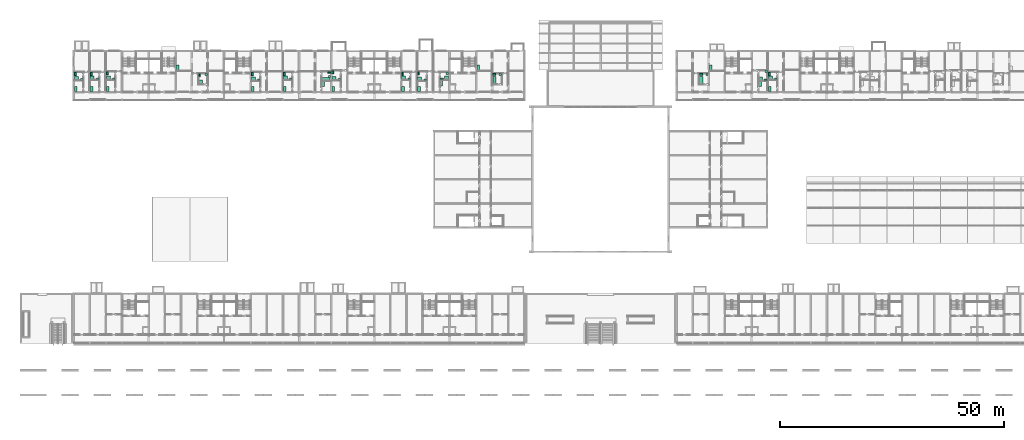
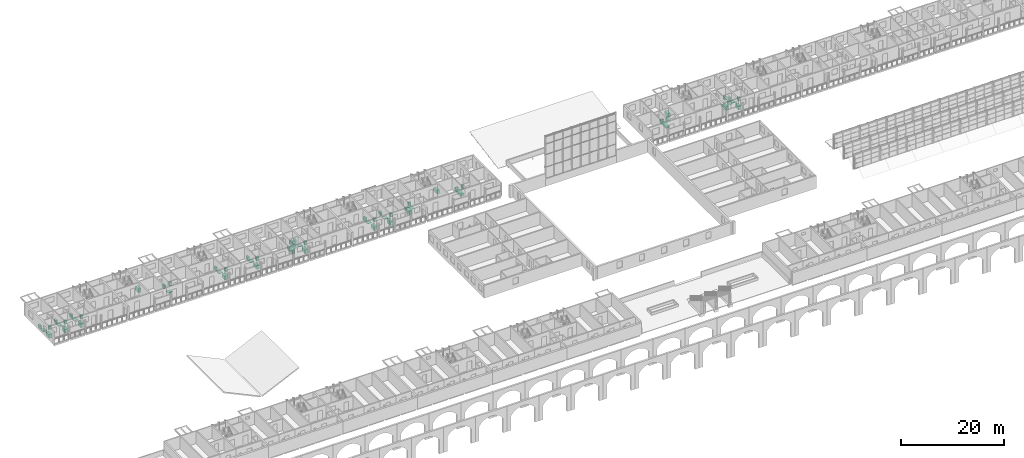
# One storey, part 121 of 122: 60 sanitary terminals.
"""IFC4 building model written with IfcOpenShell, lengths in metres."""

import ifcopenshell
import ifcopenshell.guid

model = None  # the IFC model being written
_history = None  # IfcOwnerHistory: only IFC2X3 demands one
_inside = {}  # id of a spatial element -> (the spatial element, [elements in it])
_under = {}  # id of a project, library or spatial element -> (it, [spatial elements below it])
_declared = {}  # id of a project -> (the project, [libraries it declares])
_typed = {}  # id of a type object -> (the type object, [elements of that type])
_made_of = {}  # id of a material, layer set ... -> (it, [elements and type objects made of it])


def new_model(schema):
    """Start an empty IFC model of exactly this schema.

    Asked for "IFC4X3", IfcOpenShell would pick the latest addendum, in which some entities
    have other attributes; the version numbers below select the first issue.
    IFC2X3 requires an IfcOwnerHistory on every rooted entity: one is made here for all.
    """
    global model, _history
    if schema == "IFC4X3":
        model = ifcopenshell.file(schema_version=(4, 3, 0, 0))
    else:
        model = ifcopenshell.file(schema=schema)
    _inside.clear()
    _under.clear()
    _declared.clear()
    _typed.clear()
    _made_of.clear()
    _history = None
    if model.schema == "IFC2X3":
        org = make("IfcOrganization", Name="unknown")
        user = make(
            "IfcPersonAndOrganization",
            ThePerson=make("IfcPerson", FamilyName="unknown"),
            TheOrganization=org,
        )
        app = make(
            "IfcApplication",
            ApplicationDeveloper=org,
            Version="unknown",
            ApplicationFullName="unknown",
            ApplicationIdentifier="unknown",
        )
        _history = make(
            "IfcOwnerHistory",
            OwningUser=user,
            OwningApplication=app,
            ChangeAction="ADDED",
            CreationDate=0,
        )
    return model


def make(cls, **values):
    """One entity of the class cls with the attributes given. An attribute that is None is left unset."""
    return model.create_entity(
        cls, **{name: value for name, value in values.items() if value is not None}
    )


def rooted(cls, **values):
    """An entity with a GlobalId (a new one), such as an element, a storey or a relation."""
    return make(cls, GlobalId=ifcopenshell.guid.new(), OwnerHistory=_history, **values)


def si_unit(unit_type, name, prefix=None):
    """IfcSIUnit, for example si_unit("LENGTHUNIT", "METRE", prefix="MILLI")."""
    return make("IfcSIUnit", UnitType=unit_type, Prefix=prefix, Name=name)


def assignment(units):
    """IfcUnitAssignment: the units of a project."""
    return None if units is None else make("IfcUnitAssignment", Units=units)


def point(xyz):
    """IfcCartesianPoint."""
    return None if xyz is None else make("IfcCartesianPoint", Coordinates=xyz)


def direction(xyz):
    """IfcDirection."""
    return None if xyz is None else make("IfcDirection", DirectionRatios=xyz)


def frame(location, z_axis=None, x_axis=None):
    """IfcAxis2Placement3D, a coordinate frame: its origin and axes. An axis left out is left unset."""
    return make(
        "IfcAxis2Placement3D",
        Location=point(location),
        Axis=direction(z_axis),
        RefDirection=direction(x_axis),
    )


def frame_2d(location, x_axis=None):
    """IfcAxis2Placement2D, a coordinate frame in the plane: its origin and x axis."""
    return make(
        "IfcAxis2Placement2D", Location=point(location), RefDirection=direction(x_axis)
    )


def origin():
    """The frame at (0, 0, 0) with its axes left unset."""
    return frame((0.0, 0.0, 0.0))


def origin_2d():
    """The frame at (0, 0) in the plane with its x axis left unset."""
    return frame_2d((0.0, 0.0))


def place(relative_to, where):
    """IfcLocalPlacement: puts the frame where relative to a parent placement (None: the world)."""
    return make(
        "IfcLocalPlacement", PlacementRelTo=relative_to, RelativePlacement=where
    )


def context(
    kind, dimensions, precision=None, world=None, true_north=None, identifier=None
):
    """IfcGeometricRepresentationContext, for example the 3D "Model" context."""
    return make(
        "IfcGeometricRepresentationContext",
        ContextIdentifier=identifier,
        ContextType=kind,
        CoordinateSpaceDimension=dimensions,
        Precision=precision,
        WorldCoordinateSystem=world,
        TrueNorth=true_north,
    )


def subcontext(parent, identifier, kind, view, scale=None):
    """IfcGeometricRepresentationSubContext, for example "Body" below "Model"."""
    return make(
        "IfcGeometricRepresentationSubContext",
        ContextIdentifier=identifier,
        ContextType=kind,
        ParentContext=parent,
        TargetScale=scale,
        TargetView=view,
    )


def project(units=None, contexts=None):
    """IfcProject with its units and contexts."""
    return rooted(
        "IfcProject",
        Name="project",
        RepresentationContexts=contexts,
        UnitsInContext=assignment(units),
    )


def spatial(cls, under=None, at=None, **own):
    """A site, building, storey or space (cls), placed at a placement, below another one or the project."""
    s = rooted(cls, ObjectPlacement=at, **own)
    if under is not None:
        _under.setdefault(under.id(), (under, []))[1].append(s)
    return s


def profile(cls, at=None, kind="AREA", **sizes):
    """A parametric profile (cls). Its sizes go by their IFC names, for example OverallWidth=200.0."""
    return make(cls, ProfileType=kind, Position=at, **sizes)


def rectangle(**sizes):
    """IfcRectangleProfileDef."""
    return profile("IfcRectangleProfileDef", **sizes)


def extrude(swept, where, along, depth):
    """IfcExtrudedAreaSolid: the profile swept, set in the frame where, extruded along a direction by depth."""
    return make(
        "IfcExtrudedAreaSolid",
        SweptArea=swept,
        Position=where,
        ExtrudedDirection=direction(along),
        Depth=depth,
    )


def shape(context_of_items, identifier, shape_type, items):
    """IfcShapeRepresentation: the items that make up one representation, for example the "Body"."""
    return make(
        "IfcShapeRepresentation",
        ContextOfItems=context_of_items,
        RepresentationIdentifier=identifier,
        RepresentationType=shape_type,
        Items=items,
    )


def made_of(thing, what):
    """Note that an element or type object is made of a material, layer set ...; save() writes the relation."""
    if what is not None:
        _made_of.setdefault(what.id(), (what, []))[1].append(thing)
    return thing


def element(
    cls,
    number,
    at=None,
    inside=None,
    cuts=None,
    type_object=None,
    material=None,
    context=None,
    identifier="Body",
    shape_type=None,
    held_by="IfcProductDefinitionShape",
    body=None,
    shapes=None,
    **own,
):
    """One element of the class cls, such as IfcWall. Its Tag is "e" and its number.

    at: its placement. inside: the storey or other place that contains it. cuts: it is an
    opening in that element (IfcRelVoidsElement). A single representation is given by context,
    identifier, shape_type and body (its items); several are given by shapes. held_by: the class
    of the entity that holds the representations. save() writes the other relations.
    """
    e = rooted(cls, Tag="e%d" % number, ObjectPlacement=at, **own)
    if body is not None:
        shapes = [shape(context, identifier, shape_type, body)]
    if shapes is not None:
        e.Representation = make(held_by, Representations=shapes)
    if inside is not None:
        _inside.setdefault(inside.id(), (inside, []))[1].append(e)
    if cuts is not None:
        rooted(
            "IfcRelVoidsElement", RelatingBuildingElement=cuts, RelatedOpeningElement=e
        )
    if type_object is not None:
        _typed.setdefault(type_object.id(), (type_object, []))[1].append(e)
    return made_of(e, material)


def aggregate(whole, parts):
    """IfcRelAggregates: a whole, such as a stair, and the parts it consists of."""
    return rooted("IfcRelAggregates", RelatingObject=whole, RelatedObjects=parts)


def save(model, path):
    """Write the relations noted so far, then the file.

    IfcRelAggregates (storeys below a building ...), IfcRelContainedInSpatialStructure (elements
    in a storey), IfcRelDefinesByType, IfcRelAssociatesMaterial and IfcRelDeclares: one each for
    every whole, place, type object, material and project.
    """
    for whole, parts in _under.values():
        aggregate(whole, parts)
    for where, things in _inside.values():
        rooted(
            "IfcRelContainedInSpatialStructure",
            RelatedElements=things,
            RelatingStructure=where,
        )
    for kind, things in _typed.values():
        rooted("IfcRelDefinesByType", RelatedObjects=things, RelatingType=kind)
    for what, things in _made_of.values():
        rooted("IfcRelAssociatesMaterial", RelatedObjects=things, RelatingMaterial=what)
    for by, libraries in _declared.values():
        rooted("IfcRelDeclares", RelatingContext=by, RelatedDefinitions=libraries)
    model.write(path)


model = new_model("IFC4")

# Units and contexts
model_context = context("Model", 3, precision=1e-05, world=origin(), true_north=direction((0.0, 1.0)))
body_context = subcontext(model_context, "Body", "Model", "MODEL_VIEW")
ifc_project = project(units=[si_unit("LENGTHUNIT", "METRE"), si_unit("AREAUNIT", "SQUARE_METRE"), si_unit("VOLUMEUNIT", "CUBIC_METRE"), si_unit("PLANEANGLEUNIT", "RADIAN"), si_unit("MASSUNIT", "GRAM", prefix="KILO")], contexts=[model_context])

# Site, building, storey
site_placement = place(None, origin())
site = spatial("IfcSite", under=ifc_project, at=site_placement, CompositionType="ELEMENT")
building_placement = place(site_placement, origin())
building = spatial("IfcBuilding", under=site, at=building_placement, Name="Ridgestep Commons", CompositionType="ELEMENT")
storey_placement = place(building_placement, frame((0.0, 0.0, 3.0)))
storey = spatial("IfcBuildingStorey", under=building, at=storey_placement, Name="L01", CompositionType="ELEMENT", Elevation=3.0)

# Sanitary terminals
sanitary_terminal_1_placement = place(storey_placement, frame((12.60009765625, 70.9599609375, 0.0), z_axis=(0.0, 0.0, 1.0), x_axis=(1.0, 0.0, 0.0)))
element("IfcSanitaryTerminal", 1, at=sanitary_terminal_1_placement, inside=storey, Name="Shower tray B1-01a", PredefinedType="SHOWER", context=body_context, shape_type="SweptSolid", body=[
    extrude(rectangle(XDim=0.89990234375, YDim=0.89990234375, at=origin_2d()), origin(), (0.0, 0.0, 1.0), 0.10009765625),
])
sanitary_terminal_2_placement = place(storey_placement, frame((12.35009765625, 71.949951171875, 0.0), z_axis=(0.0, 0.0, 1.0), x_axis=(1.0, 0.0, 0.0)))
element("IfcSanitaryTerminal", 2, at=sanitary_terminal_2_placement, inside=storey, Name="WC B1-01a", PredefinedType="TOILETPAN", context=body_context, shape_type="SweptSolid", body=[
    extrude(rectangle(XDim=0.39990234375, YDim=0.699951171875, at=origin_2d()), origin(), (0.0, 0.0, 1.0), 0.800048828125),
])
sanitary_terminal_3_placement = place(storey_placement, frame((13.81494140625, 70.735107421875, 0.0), z_axis=(0.0, 0.0, 1.0), x_axis=(1.0, 0.0, 0.0)))
element("IfcSanitaryTerminal", 3, at=sanitary_terminal_3_placement, inside=storey, Name="Basin B1-01a", PredefinedType="WASHHANDBASIN", context=body_context, shape_type="SweptSolid", body=[
    extrude(rectangle(XDim=0.550048828125, YDim=0.449951171875, at=origin_2d()), origin(), (0.0, 0.0, 1.0), 0.85009765625),
])
sanitary_terminal_4_placement = place(storey_placement, frame((12.449951171875, 68.60009765625, 0.0), z_axis=(0.0, 0.0, 1.0), x_axis=(1.0, 0.0, 0.0)))
element("IfcSanitaryTerminal", 4, at=sanitary_terminal_4_placement, inside=storey, Name="Kitchen sink B1-01a", PredefinedType="SINK", context=body_context, shape_type="SweptSolid", body=[
    extrude(rectangle(XDim=0.60009765625, YDim=1.199951171875, at=origin_2d()), origin(), (0.0, 0.0, 1.0), 0.89990234375),
])
sanitary_terminal_5_placement = place(storey_placement, frame((16.14990234375, 71.06005859375, 0.0), z_axis=(0.0, 0.0, 1.0), x_axis=(1.0, 0.0, 0.0)))
element("IfcSanitaryTerminal", 5, at=sanitary_terminal_5_placement, inside=storey, Name="Shower tray B1-01b", PredefinedType="SHOWER", context=body_context, shape_type="SweptSolid", body=[
    extrude(rectangle(XDim=0.89990234375, YDim=0.89990234375, at=origin_2d()), origin(), (0.0, 0.0, 1.0), 0.10009765625),
])
sanitary_terminal_6_placement = place(storey_placement, frame((15.89990234375, 71.949951171875, 0.0), z_axis=(0.0, 0.0, 1.0), x_axis=(1.0, 0.0, 0.0)))
element("IfcSanitaryTerminal", 6, at=sanitary_terminal_6_placement, inside=storey, Name="WC B1-01b", PredefinedType="TOILETPAN", context=body_context, shape_type="SweptSolid", body=[
    extrude(rectangle(XDim=0.39990234375, YDim=0.699951171875, at=origin_2d()), origin(), (0.0, 0.0, 1.0), 0.800048828125),
])
sanitary_terminal_7_placement = place(storey_placement, frame((17.4150390625, 70.8349609375, 0.0), z_axis=(0.0, 0.0, 1.0), x_axis=(1.0, 0.0, 0.0)))
element("IfcSanitaryTerminal", 7, at=sanitary_terminal_7_placement, inside=storey, Name="Basin B1-01b", PredefinedType="WASHHANDBASIN", context=body_context, shape_type="SweptSolid", body=[
    extrude(rectangle(XDim=0.550048828125, YDim=0.449951171875, at=origin_2d()), origin(), (0.0, 0.0, 1.0), 0.85009765625),
])
sanitary_terminal_8_placement = place(storey_placement, frame((16.0, 68.60009765625, 0.0), z_axis=(0.0, 0.0, 1.0), x_axis=(1.0, 0.0, 0.0)))
element("IfcSanitaryTerminal", 8, at=sanitary_terminal_8_placement, inside=storey, Name="Kitchen sink B1-01b", PredefinedType="SINK", context=body_context, shape_type="SweptSolid", body=[
    extrude(rectangle(XDim=0.60009765625, YDim=1.199951171875, at=origin_2d()), origin(), (0.0, 0.0, 1.0), 0.89990234375),
])
sanitary_terminal_9_placement = place(storey_placement, frame((19.75, 71.06005859375, 0.0), z_axis=(0.0, 0.0, 1.0), x_axis=(1.0, 0.0, 0.0)))
element("IfcSanitaryTerminal", 9, at=sanitary_terminal_9_placement, inside=storey, Name="Shower tray B1-01c", PredefinedType="SHOWER", context=body_context, shape_type="SweptSolid", body=[
    extrude(rectangle(XDim=0.89990234375, YDim=0.89990234375, at=origin_2d()), origin(), (0.0, 0.0, 1.0), 0.10009765625),
])
sanitary_terminal_10_placement = place(storey_placement, frame((19.5, 72.14990234375, 0.0), z_axis=(0.0, 0.0, 1.0), x_axis=(1.0, 0.0, 0.0)))
element("IfcSanitaryTerminal", 10, at=sanitary_terminal_10_placement, inside=storey, Name="WC B1-01c", PredefinedType="TOILETPAN", context=body_context, shape_type="SweptSolid", body=[
    extrude(rectangle(XDim=0.39990234375, YDim=0.699951171875, at=origin_2d()), origin(), (0.0, 0.0, 1.0), 0.800048828125),
])
sanitary_terminal_11_placement = place(storey_placement, frame((20.989990234375, 70.8349609375, 0.0), z_axis=(0.0, 0.0, 1.0), x_axis=(1.0, 0.0, 0.0)))
element("IfcSanitaryTerminal", 11, at=sanitary_terminal_11_placement, inside=storey, Name="Basin B1-01c", PredefinedType="WASHHANDBASIN", context=body_context, shape_type="SweptSolid", body=[
    extrude(rectangle(XDim=0.550048828125, YDim=0.449951171875, at=origin_2d()), origin(), (0.0, 0.0, 1.0), 0.85009765625),
])
sanitary_terminal_12_placement = place(storey_placement, frame((19.60009765625, 68.60009765625, 0.0), z_axis=(0.0, 0.0, 1.0), x_axis=(1.0, 0.0, 0.0)))
element("IfcSanitaryTerminal", 12, at=sanitary_terminal_12_placement, inside=storey, Name="Kitchen sink B1-01c", PredefinedType="SINK", context=body_context, shape_type="SweptSolid", body=[
    extrude(rectangle(XDim=0.60009765625, YDim=1.199951171875, at=origin_2d()), origin(), (0.0, 0.0, 1.0), 0.89990234375),
])
sanitary_terminal_13_placement = place(storey_placement, frame((40.385009765625, 70.110107421875, 0.0), z_axis=(0.0, 0.0, 1.0), x_axis=(1.0, 0.0, 0.0)))
element("IfcSanitaryTerminal", 13, at=sanitary_terminal_13_placement, inside=storey, Name="Shower tray B2-01a", PredefinedType="SHOWER", context=body_context, shape_type="SweptSolid", body=[
    extrude(rectangle(XDim=0.89990234375, YDim=0.89990234375, at=origin_2d()), origin(), (0.0, 0.0, 1.0), 0.10009765625),
])
sanitary_terminal_14_placement = place(storey_placement, frame((40.135009765625, 71.7099609375, 0.0), z_axis=(0.0, 0.0, 1.0), x_axis=(1.0, 0.0, 0.0)))
element("IfcSanitaryTerminal", 14, at=sanitary_terminal_14_placement, inside=storey, Name="WC B2-01a", PredefinedType="TOILETPAN", context=body_context, shape_type="SweptSolid", body=[
    extrude(rectangle(XDim=0.39990234375, YDim=0.699951171875, at=origin_2d()), origin(), (0.0, 0.0, 1.0), 0.800048828125),
])
sanitary_terminal_15_placement = place(storey_placement, frame((41.625, 71.8349609375, 0.0), z_axis=(0.0, 0.0, 1.0), x_axis=(1.0, 0.0, 0.0)))
element("IfcSanitaryTerminal", 15, at=sanitary_terminal_15_placement, inside=storey, Name="Basin B2-01a", PredefinedType="WASHHANDBASIN", context=body_context, shape_type="SweptSolid", body=[
    extrude(rectangle(XDim=0.550048828125, YDim=0.449951171875, at=origin_2d()), origin(), (0.0, 0.0, 1.0), 0.85009765625),
])
sanitary_terminal_16_placement = place(storey_placement, frame((35.22509765625, 73.31005859375, 0.0), z_axis=(0.0, 0.0, 1.0), x_axis=(1.0, 0.0, 0.0)))
element("IfcSanitaryTerminal", 16, at=sanitary_terminal_16_placement, inside=storey, Name="Kitchen sink B2-01a", PredefinedType="SINK", context=body_context, shape_type="SweptSolid", body=[
    extrude(rectangle(XDim=0.60009765625, YDim=1.199951171875, at=origin_2d()), origin(), (0.0, 0.0, 1.0), 0.89990234375),
])
sanitary_terminal_17_placement = place(storey_placement, frame((59.35009765625, 71.06005859375, 0.0), z_axis=(0.0, 0.0, 1.0), x_axis=(1.0, 0.0, 0.0)))
element("IfcSanitaryTerminal", 17, at=sanitary_terminal_17_placement, inside=storey, Name="Shower tray B3-01a", PredefinedType="SHOWER", context=body_context, shape_type="SweptSolid", body=[
    extrude(rectangle(XDim=0.89990234375, YDim=0.89990234375, at=origin_2d()), origin(), (0.0, 0.0, 1.0), 0.10009765625),
])
sanitary_terminal_18_placement = place(storey_placement, frame((59.10009765625, 71.949951171875, 0.0), z_axis=(0.0, 0.0, 1.0), x_axis=(1.0, 0.0, 0.0)))
element("IfcSanitaryTerminal", 18, at=sanitary_terminal_18_placement, inside=storey, Name="WC B3-01a", PredefinedType="TOILETPAN", context=body_context, shape_type="SweptSolid", body=[
    extrude(rectangle(XDim=0.39990234375, YDim=0.699951171875, at=origin_2d()), origin(), (0.0, 0.0, 1.0), 0.800048828125),
])
sanitary_terminal_19_placement = place(storey_placement, frame((60.56494140625, 70.8349609375, 0.0), z_axis=(0.0, 0.0, 1.0), x_axis=(1.0, 0.0, 0.0)))
element("IfcSanitaryTerminal", 19, at=sanitary_terminal_19_placement, inside=storey, Name="Basin B3-01a", PredefinedType="WASHHANDBASIN", context=body_context, shape_type="SweptSolid", body=[
    extrude(rectangle(XDim=0.550048828125, YDim=0.449951171875, at=origin_2d()), origin(), (0.0, 0.0, 1.0), 0.85009765625),
])
sanitary_terminal_20_placement = place(storey_placement, frame((59.199951171875, 68.60009765625, 0.0), z_axis=(0.0, 0.0, 1.0), x_axis=(1.0, 0.0, 0.0)))
element("IfcSanitaryTerminal", 20, at=sanitary_terminal_20_placement, inside=storey, Name="Kitchen sink B3-01a", PredefinedType="SINK", context=body_context, shape_type="SweptSolid", body=[
    extrude(rectangle(XDim=0.60009765625, YDim=1.199951171875, at=origin_2d()), origin(), (0.0, 0.0, 1.0), 0.89990234375),
])
sanitary_terminal_21_placement = place(storey_placement, frame((52.175048828125, 70.860107421875, 0.0), z_axis=(0.0, 0.0, 1.0), x_axis=(1.0, 0.0, 0.0)))
element("IfcSanitaryTerminal", 21, at=sanitary_terminal_21_placement, inside=storey, Name="Shower tray B3-01b", PredefinedType="SHOWER", context=body_context, shape_type="SweptSolid", body=[
    extrude(rectangle(XDim=0.89990234375, YDim=0.89990234375, at=origin_2d()), origin(), (0.0, 0.0, 1.0), 0.10009765625),
])
sanitary_terminal_22_placement = place(storey_placement, frame((51.925048828125, 71.949951171875, 0.0), z_axis=(0.0, 0.0, 1.0), x_axis=(1.0, 0.0, 0.0)))
element("IfcSanitaryTerminal", 22, at=sanitary_terminal_22_placement, inside=storey, Name="WC B3-01b", PredefinedType="TOILETPAN", context=body_context, shape_type="SweptSolid", body=[
    extrude(rectangle(XDim=0.39990234375, YDim=0.699951171875, at=origin_2d()), origin(), (0.0, 0.0, 1.0), 0.800048828125),
])
sanitary_terminal_23_placement = place(storey_placement, frame((53.4150390625, 70.635009765625, 0.0), z_axis=(0.0, 0.0, 1.0), x_axis=(1.0, 0.0, 0.0)))
element("IfcSanitaryTerminal", 23, at=sanitary_terminal_23_placement, inside=storey, Name="Basin B3-01b", PredefinedType="WASHHANDBASIN", context=body_context, shape_type="SweptSolid", body=[
    extrude(rectangle(XDim=0.550048828125, YDim=0.449951171875, at=origin_2d()), origin(), (0.0, 0.0, 1.0), 0.85009765625),
])
sanitary_terminal_24_placement = place(storey_placement, frame((52.02490234375, 68.60009765625, 0.0), z_axis=(0.0, 0.0, 1.0), x_axis=(1.0, 0.0, 0.0)))
element("IfcSanitaryTerminal", 24, at=sanitary_terminal_24_placement, inside=storey, Name="Kitchen sink B3-01b", PredefinedType="SINK", context=body_context, shape_type="SweptSolid", body=[
    extrude(rectangle(XDim=0.60009765625, YDim=1.199951171875, at=origin_2d()), origin(), (0.0, 0.0, 1.0), 0.89990234375),
])
sanitary_terminal_25_placement = place(storey_placement, frame((68.360107421875, 70.784912109375, 0.0), z_axis=(0.0, 0.0, 1.0), x_axis=(1.0, 0.0, 0.0)))
element("IfcSanitaryTerminal", 25, at=sanitary_terminal_25_placement, inside=storey, Name="Bath B4-01a", PredefinedType="BATH", context=body_context, shape_type="SweptSolid", body=[
    extrude(rectangle(XDim=1.699951171875, YDim=0.75, at=origin_2d()), origin(), (0.0, 0.0, 1.0), 0.550048828125),
])
sanitary_terminal_26_placement = place(storey_placement, frame((69.125, 72.300048828125, 0.0), z_axis=(0.0, 0.0, 1.0), x_axis=(1.0, 0.0, 0.0)))
element("IfcSanitaryTerminal", 26, at=sanitary_terminal_26_placement, inside=storey, Name="WC B4-01a", PredefinedType="TOILETPAN", context=body_context, shape_type="SweptSolid", body=[
    extrude(rectangle(XDim=0.699951171875, YDim=0.39990234375, at=origin_2d()), origin(), (0.0, 0.0, 1.0), 0.800048828125),
])
sanitary_terminal_27_placement = place(storey_placement, frame((69.199951171875, 71.43505859375, 0.0), z_axis=(0.0, 0.0, 1.0), x_axis=(1.0, 0.0, 0.0)))
element("IfcSanitaryTerminal", 27, at=sanitary_terminal_27_placement, inside=storey, Name="Basin B4-01a", PredefinedType="WASHHANDBASIN", context=body_context, shape_type="SweptSolid", body=[
    extrude(rectangle(XDim=0.550048828125, YDim=0.449951171875, at=origin_2d()), origin(), (0.0, 0.0, 1.0), 0.85009765625),
])
sanitary_terminal_28_placement = place(storey_placement, frame((67.81005859375, 69.699951171875, 0.0), z_axis=(0.0, 0.0, 1.0), x_axis=(1.0, 0.0, 0.0)))
element("IfcSanitaryTerminal", 28, at=sanitary_terminal_28_placement, inside=storey, Name="Kitchen sink B4-01a", PredefinedType="SINK", context=body_context, shape_type="SweptSolid", body=[
    extrude(rectangle(XDim=0.60009765625, YDim=1.199951171875, at=origin_2d()), origin(), (0.0, 0.0, 1.0), 0.89990234375),
])
sanitary_terminal_29_placement = place(storey_placement, frame((70.175048828125, 70.9599609375, 0.0), z_axis=(0.0, 0.0, 1.0), x_axis=(1.0, 0.0, 0.0)))
element("IfcSanitaryTerminal", 29, at=sanitary_terminal_29_placement, inside=storey, Name="Shower tray B4-01b", PredefinedType="SHOWER", context=body_context, shape_type="SweptSolid", body=[
    extrude(rectangle(XDim=0.89990234375, YDim=0.89990234375, at=origin_2d()), origin(), (0.0, 0.0, 1.0), 0.10009765625),
])
sanitary_terminal_30_placement = place(storey_placement, frame((69.925048828125, 72.35009765625, 0.0), z_axis=(0.0, 0.0, 1.0), x_axis=(1.0, 0.0, 0.0)))
element("IfcSanitaryTerminal", 30, at=sanitary_terminal_30_placement, inside=storey, Name="WC B4-01b", PredefinedType="TOILETPAN", context=body_context, shape_type="SweptSolid", body=[
    extrude(rectangle(XDim=0.39990234375, YDim=0.699951171875, at=origin_2d()), origin(), (0.0, 0.0, 1.0), 0.800048828125),
])
sanitary_terminal_31_placement = place(storey_placement, frame((71.389892578125, 70.735107421875, 0.0), z_axis=(0.0, 0.0, 1.0), x_axis=(1.0, 0.0, 0.0)))
element("IfcSanitaryTerminal", 31, at=sanitary_terminal_31_placement, inside=storey, Name="Basin B4-01b", PredefinedType="WASHHANDBASIN", context=body_context, shape_type="SweptSolid", body=[
    extrude(rectangle(XDim=0.550048828125, YDim=0.449951171875, at=origin_2d()), origin(), (0.0, 0.0, 1.0), 0.85009765625),
])
sanitary_terminal_32_placement = place(storey_placement, frame((70.02490234375, 68.60009765625, 0.0), z_axis=(0.0, 0.0, 1.0), x_axis=(1.0, 0.0, 0.0)))
element("IfcSanitaryTerminal", 32, at=sanitary_terminal_32_placement, inside=storey, Name="Kitchen sink B4-01b", PredefinedType="SINK", context=body_context, shape_type="SweptSolid", body=[
    extrude(rectangle(XDim=0.60009765625, YDim=1.199951171875, at=origin_2d()), origin(), (0.0, 0.0, 1.0), 0.89990234375),
])
sanitary_terminal_33_placement = place(storey_placement, frame((95.39990234375, 71.06005859375, 0.0), z_axis=(0.0, 0.0, 1.0), x_axis=(1.0, 0.0, 0.0)))
element("IfcSanitaryTerminal", 33, at=sanitary_terminal_33_placement, inside=storey, Name="Shower tray B5-01a", PredefinedType="SHOWER", context=body_context, shape_type="SweptSolid", body=[
    extrude(rectangle(XDim=0.89990234375, YDim=0.89990234375, at=origin_2d()), origin(), (0.0, 0.0, 1.0), 0.10009765625),
])
sanitary_terminal_34_placement = place(storey_placement, frame((94.260009765625, 70.81005859375, 0.0), z_axis=(0.0, 0.0, 1.0), x_axis=(1.0, 0.0, 0.0)))
element("IfcSanitaryTerminal", 34, at=sanitary_terminal_34_placement, inside=storey, Name="WC B5-01a", PredefinedType="TOILETPAN", context=body_context, shape_type="SweptSolid", body=[
    extrude(rectangle(XDim=0.699951171875, YDim=0.39990234375, at=origin_2d()), origin(), (0.0, 0.0, 1.0), 0.800048828125),
])
sanitary_terminal_35_placement = place(storey_placement, frame((95.574951171875, 72.074951171875, 0.0), z_axis=(0.0, 0.0, 1.0), x_axis=(1.0, 0.0, 0.0)))
element("IfcSanitaryTerminal", 35, at=sanitary_terminal_35_placement, inside=storey, Name="Basin B5-01a", PredefinedType="WASHHANDBASIN", context=body_context, shape_type="SweptSolid", body=[
    extrude(rectangle(XDim=0.550048828125, YDim=0.449951171875, at=origin_2d()), origin(), (0.0, 0.0, 1.0), 0.85009765625),
])
sanitary_terminal_36_placement = place(storey_placement, frame((94.2099609375, 69.89990234375, 0.0), z_axis=(0.0, 0.0, 1.0), x_axis=(1.0, 0.0, 0.0)))
element("IfcSanitaryTerminal", 36, at=sanitary_terminal_36_placement, inside=storey, Name="Kitchen sink B5-01a", PredefinedType="SINK", context=body_context, shape_type="SweptSolid", body=[
    extrude(rectangle(XDim=0.60009765625, YDim=1.199951171875, at=origin_2d()), origin(), (0.0, 0.0, 1.0), 0.89990234375),
])
sanitary_terminal_37_placement = place(storey_placement, frame((89.35009765625, 70.860107421875, 0.0), z_axis=(0.0, 0.0, 1.0), x_axis=(1.0, 0.0, 0.0)))
element("IfcSanitaryTerminal", 37, at=sanitary_terminal_37_placement, inside=storey, Name="Shower tray B5-01b", PredefinedType="SHOWER", context=body_context, shape_type="SweptSolid", body=[
    extrude(rectangle(XDim=0.89990234375, YDim=0.89990234375, at=origin_2d()), origin(), (0.0, 0.0, 1.0), 0.10009765625),
])
sanitary_terminal_38_placement = place(storey_placement, frame((89.10009765625, 72.14990234375, 0.0), z_axis=(0.0, 0.0, 1.0), x_axis=(1.0, 0.0, 0.0)))
element("IfcSanitaryTerminal", 38, at=sanitary_terminal_38_placement, inside=storey, Name="WC B5-01b", PredefinedType="TOILETPAN", context=body_context, shape_type="SweptSolid", body=[
    extrude(rectangle(XDim=0.39990234375, YDim=0.699951171875, at=origin_2d()), origin(), (0.0, 0.0, 1.0), 0.800048828125),
])
sanitary_terminal_39_placement = place(storey_placement, frame((90.614990234375, 70.635009765625, 0.0), z_axis=(0.0, 0.0, 1.0), x_axis=(1.0, 0.0, 0.0)))
element("IfcSanitaryTerminal", 39, at=sanitary_terminal_39_placement, inside=storey, Name="Basin B5-01b", PredefinedType="WASHHANDBASIN", context=body_context, shape_type="SweptSolid", body=[
    extrude(rectangle(XDim=0.550048828125, YDim=0.449951171875, at=origin_2d()), origin(), (0.0, 0.0, 1.0), 0.85009765625),
])
sanitary_terminal_40_placement = place(storey_placement, frame((89.199951171875, 68.60009765625, 0.0), z_axis=(0.0, 0.0, 1.0), x_axis=(1.0, 0.0, 0.0)))
element("IfcSanitaryTerminal", 40, at=sanitary_terminal_40_placement, inside=storey, Name="Kitchen sink B5-01b", PredefinedType="SINK", context=body_context, shape_type="SweptSolid", body=[
    extrude(rectangle(XDim=0.60009765625, YDim=1.199951171875, at=origin_2d()), origin(), (0.0, 0.0, 1.0), 0.89990234375),
])
sanitary_terminal_41_placement = place(storey_placement, frame((85.77490234375, 71.06005859375, 0.0), z_axis=(0.0, 0.0, 1.0), x_axis=(1.0, 0.0, 0.0)))
element("IfcSanitaryTerminal", 41, at=sanitary_terminal_41_placement, inside=storey, Name="Shower tray B5-01c", PredefinedType="SHOWER", context=body_context, shape_type="SweptSolid", body=[
    extrude(rectangle(XDim=0.89990234375, YDim=0.89990234375, at=origin_2d()), origin(), (0.0, 0.0, 1.0), 0.10009765625),
])
sanitary_terminal_42_placement = place(storey_placement, frame((85.52490234375, 71.949951171875, 0.0), z_axis=(0.0, 0.0, 1.0), x_axis=(1.0, 0.0, 0.0)))
element("IfcSanitaryTerminal", 42, at=sanitary_terminal_42_placement, inside=storey, Name="WC B5-01c", PredefinedType="TOILETPAN", context=body_context, shape_type="SweptSolid", body=[
    extrude(rectangle(XDim=0.39990234375, YDim=0.699951171875, at=origin_2d()), origin(), (0.0, 0.0, 1.0), 0.800048828125),
])
sanitary_terminal_43_placement = place(storey_placement, frame((87.014892578125, 70.8349609375, 0.0), z_axis=(0.0, 0.0, 1.0), x_axis=(1.0, 0.0, 0.0)))
element("IfcSanitaryTerminal", 43, at=sanitary_terminal_43_placement, inside=storey, Name="Basin B5-01c", PredefinedType="WASHHANDBASIN", context=body_context, shape_type="SweptSolid", body=[
    extrude(rectangle(XDim=0.550048828125, YDim=0.449951171875, at=origin_2d()), origin(), (0.0, 0.0, 1.0), 0.85009765625),
])
sanitary_terminal_44_placement = place(storey_placement, frame((85.625, 68.60009765625, 0.0), z_axis=(0.0, 0.0, 1.0), x_axis=(1.0, 0.0, 0.0)))
element("IfcSanitaryTerminal", 44, at=sanitary_terminal_44_placement, inside=storey, Name="Kitchen sink B5-01c", PredefinedType="SINK", context=body_context, shape_type="SweptSolid", body=[
    extrude(rectangle(XDim=0.60009765625, YDim=1.199951171875, at=origin_2d()), origin(), (0.0, 0.0, 1.0), 0.89990234375),
])
sanitary_terminal_45_placement = place(storey_placement, frame((106.074951171875, 70.510009765625, 0.0), z_axis=(0.0, 0.0, 1.0), x_axis=(1.0, 0.0, 0.0)))
element("IfcSanitaryTerminal", 45, at=sanitary_terminal_45_placement, inside=storey, Name="Bath B6-01a", PredefinedType="BATH", context=body_context, shape_type="SweptSolid", body=[
    extrude(rectangle(XDim=0.75, YDim=1.699951171875, at=origin_2d()), origin(), (0.0, 0.0, 1.0), 0.550048828125),
])
sanitary_terminal_46_placement = place(storey_placement, frame((106.050048828125, 71.860107421875, 0.0), z_axis=(0.0, 0.0, 1.0), x_axis=(1.0, 0.0, 0.0)))
element("IfcSanitaryTerminal", 46, at=sanitary_terminal_46_placement, inside=storey, Name="WC B6-01a", PredefinedType="TOILETPAN", context=body_context, shape_type="SweptSolid", body=[
    extrude(rectangle(XDim=0.699951171875, YDim=0.39990234375, at=origin_2d()), origin(), (0.0, 0.0, 1.0), 0.800048828125),
])
sanitary_terminal_47_placement = place(storey_placement, frame((107.4150390625, 71.8349609375, 0.0), z_axis=(0.0, 0.0, 1.0), x_axis=(1.0, 0.0, 0.0)))
element("IfcSanitaryTerminal", 47, at=sanitary_terminal_47_placement, inside=storey, Name="Basin B6-01a", PredefinedType="WASHHANDBASIN", context=body_context, shape_type="SweptSolid", body=[
    extrude(rectangle(XDim=0.550048828125, YDim=0.449951171875, at=origin_2d()), origin(), (0.0, 0.0, 1.0), 0.85009765625),
])
sanitary_terminal_48_placement = place(storey_placement, frame((102.425048828125, 73.31005859375, 0.0), z_axis=(0.0, 0.0, 1.0), x_axis=(1.0, 0.0, 0.0)))
element("IfcSanitaryTerminal", 48, at=sanitary_terminal_48_placement, inside=storey, Name="Kitchen sink B6-01a", PredefinedType="SINK", context=body_context, shape_type="SweptSolid", body=[
    extrude(rectangle(XDim=0.60009765625, YDim=1.199951171875, at=origin_2d()), origin(), (0.0, 0.0, 1.0), 0.89990234375),
])
sanitary_terminal_49_placement = place(storey_placement, frame((152.284912109375, 70.510009765625, 0.0), z_axis=(0.0, 0.0, 1.0), x_axis=(1.0, 0.0, 0.0)))
element("IfcSanitaryTerminal", 49, at=sanitary_terminal_49_placement, inside=storey, Name="Bath C1-01a", PredefinedType="BATH", context=body_context, shape_type="SweptSolid", body=[
    extrude(rectangle(XDim=0.75, YDim=1.699951171875, at=origin_2d()), origin(), (0.0, 0.0, 1.0), 0.550048828125),
])
sanitary_terminal_50_placement = place(storey_placement, frame((152.260009765625, 71.860107421875, 0.0), z_axis=(0.0, 0.0, 1.0), x_axis=(1.0, 0.0, 0.0)))
element("IfcSanitaryTerminal", 50, at=sanitary_terminal_50_placement, inside=storey, Name="WC C1-01a", PredefinedType="TOILETPAN", context=body_context, shape_type="SweptSolid", body=[
    extrude(rectangle(XDim=0.699951171875, YDim=0.39990234375, at=origin_2d()), origin(), (0.0, 0.0, 1.0), 0.800048828125),
])
sanitary_terminal_51_placement = place(storey_placement, frame((153.60009765625, 71.8349609375, 0.0), z_axis=(0.0, 0.0, 1.0), x_axis=(1.0, 0.0, 0.0)))
element("IfcSanitaryTerminal", 51, at=sanitary_terminal_51_placement, inside=storey, Name="Basin C1-01a", PredefinedType="WASHHANDBASIN", context=body_context, shape_type="SweptSolid", body=[
    extrude(rectangle(XDim=0.550048828125, YDim=0.449951171875, at=origin_2d()), origin(), (0.0, 0.0, 1.0), 0.85009765625),
])
sanitary_terminal_52_placement = place(storey_placement, frame((154.425048828125, 73.31005859375, 0.0), z_axis=(0.0, 0.0, 1.0), x_axis=(1.0, 0.0, 0.0)))
element("IfcSanitaryTerminal", 52, at=sanitary_terminal_52_placement, inside=storey, Name="Kitchen sink C1-01a", PredefinedType="SINK", context=body_context, shape_type="SweptSolid", body=[
    extrude(rectangle(XDim=0.60009765625, YDim=1.199951171875, at=origin_2d()), origin(), (0.0, 0.0, 1.0), 0.89990234375),
])
sanitary_terminal_53_placement = place(storey_placement, frame((165.610107421875, 70.860107421875, 0.0), z_axis=(0.0, 0.0, 1.0), x_axis=(1.0, 0.0, 0.0)))
element("IfcSanitaryTerminal", 53, at=sanitary_terminal_53_placement, inside=storey, Name="Shower tray C2-01a", PredefinedType="SHOWER", context=body_context, shape_type="SweptSolid", body=[
    extrude(rectangle(XDim=0.89990234375, YDim=0.89990234375, at=origin_2d()), origin(), (0.0, 0.0, 1.0), 0.10009765625),
])
sanitary_terminal_54_placement = place(storey_placement, frame((166.75, 70.610107421875, 0.0), z_axis=(0.0, 0.0, 1.0), x_axis=(1.0, 0.0, 0.0)))
element("IfcSanitaryTerminal", 54, at=sanitary_terminal_54_placement, inside=storey, Name="WC C2-01a", PredefinedType="TOILETPAN", context=body_context, shape_type="SweptSolid", body=[
    extrude(rectangle(XDim=0.699951171875, YDim=0.39990234375, at=origin_2d()), origin(), (0.0, 0.0, 1.0), 0.800048828125),
])
sanitary_terminal_55_placement = place(storey_placement, frame((166.824951171875, 72.47509765625, 0.0), z_axis=(0.0, 0.0, 1.0), x_axis=(1.0, 0.0, 0.0)))
element("IfcSanitaryTerminal", 55, at=sanitary_terminal_55_placement, inside=storey, Name="Basin C2-01a", PredefinedType="WASHHANDBASIN", context=body_context, shape_type="SweptSolid", body=[
    extrude(rectangle(XDim=0.550048828125, YDim=0.449951171875, at=origin_2d()), origin(), (0.0, 0.0, 1.0), 0.85009765625),
])
sanitary_terminal_56_placement = place(storey_placement, frame((165.4599609375, 69.699951171875, 0.0), z_axis=(0.0, 0.0, 1.0), x_axis=(1.0, 0.0, 0.0)))
element("IfcSanitaryTerminal", 56, at=sanitary_terminal_56_placement, inside=storey, Name="Kitchen sink C2-01a", PredefinedType="SINK", context=body_context, shape_type="SweptSolid", body=[
    extrude(rectangle(XDim=0.60009765625, YDim=1.199951171875, at=origin_2d()), origin(), (0.0, 0.0, 1.0), 0.89990234375),
])
sanitary_terminal_57_placement = place(storey_placement, frame((167.75, 71.06005859375, 0.0), z_axis=(0.0, 0.0, 1.0), x_axis=(1.0, 0.0, 0.0)))
element("IfcSanitaryTerminal", 57, at=sanitary_terminal_57_placement, inside=storey, Name="Shower tray C2-01b", PredefinedType="SHOWER", context=body_context, shape_type="SweptSolid", body=[
    extrude(rectangle(XDim=0.89990234375, YDim=0.89990234375, at=origin_2d()), origin(), (0.0, 0.0, 1.0), 0.10009765625),
])
sanitary_terminal_58_placement = place(storey_placement, frame((167.5, 71.949951171875, 0.0), z_axis=(0.0, 0.0, 1.0), x_axis=(1.0, 0.0, 0.0)))
element("IfcSanitaryTerminal", 58, at=sanitary_terminal_58_placement, inside=storey, Name="WC C2-01b", PredefinedType="TOILETPAN", context=body_context, shape_type="SweptSolid", body=[
    extrude(rectangle(XDim=0.39990234375, YDim=0.699951171875, at=origin_2d()), origin(), (0.0, 0.0, 1.0), 0.800048828125),
])
sanitary_terminal_59_placement = place(storey_placement, frame((169.014892578125, 70.8349609375, 0.0), z_axis=(0.0, 0.0, 1.0), x_axis=(1.0, 0.0, 0.0)))
element("IfcSanitaryTerminal", 59, at=sanitary_terminal_59_placement, inside=storey, Name="Basin C2-01b", PredefinedType="WASHHANDBASIN", context=body_context, shape_type="SweptSolid", body=[
    extrude(rectangle(XDim=0.550048828125, YDim=0.449951171875, at=origin_2d()), origin(), (0.0, 0.0, 1.0), 0.85009765625),
])
sanitary_terminal_60_placement = place(storey_placement, frame((167.60009765625, 68.60009765625, 0.0), z_axis=(0.0, 0.0, 1.0), x_axis=(1.0, 0.0, 0.0)))
element("IfcSanitaryTerminal", 60, at=sanitary_terminal_60_placement, inside=storey, Name="Kitchen sink C2-01b", PredefinedType="SINK", context=body_context, shape_type="SweptSolid", body=[
    extrude(rectangle(XDim=0.60009765625, YDim=1.199951171875, at=origin_2d()), origin(), (0.0, 0.0, 1.0), 0.89990234375),
])

save(model, "model.ifc")
